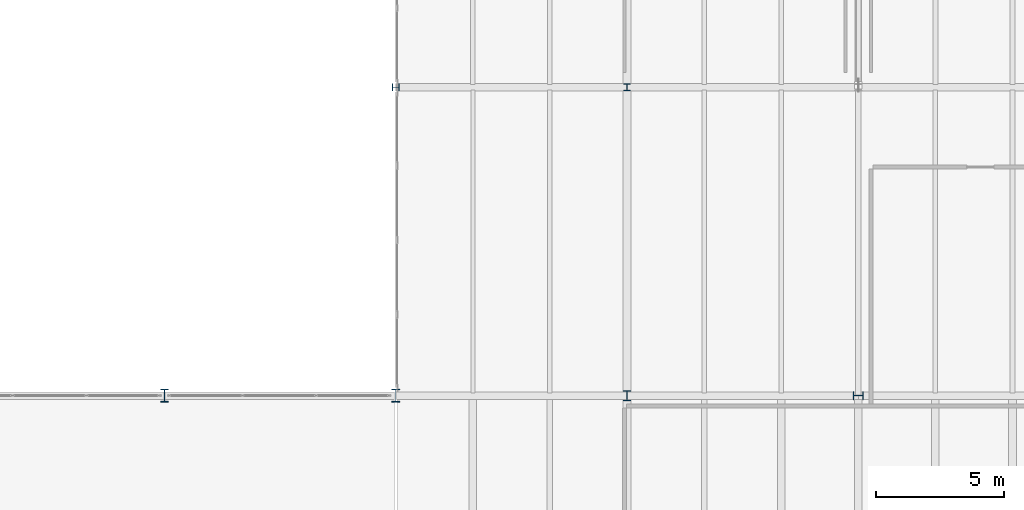
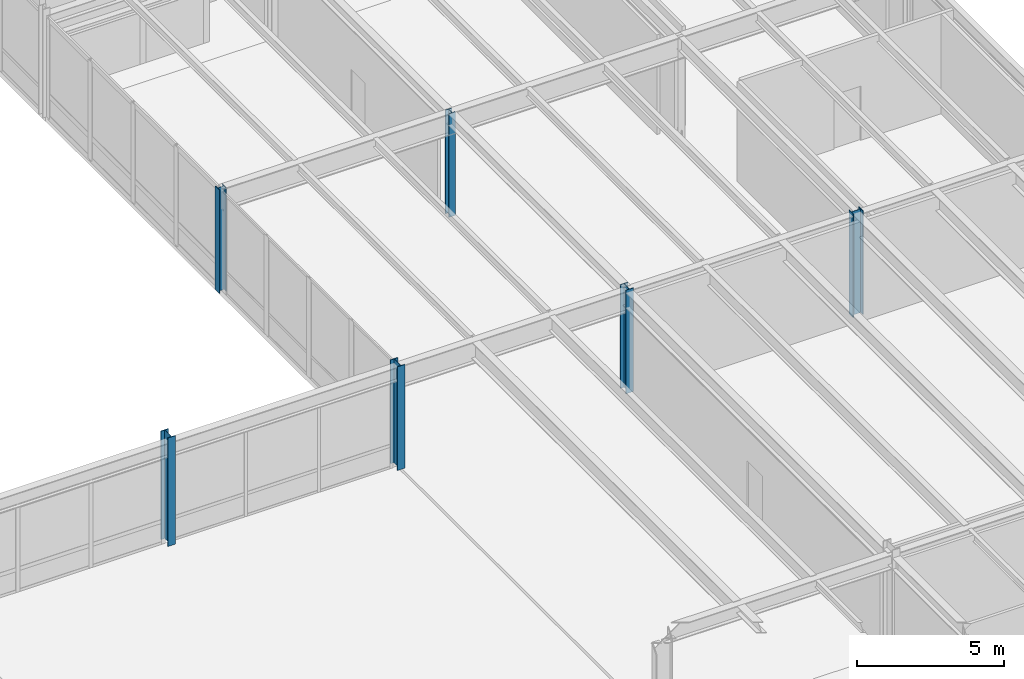
# One storey, part 6 of 115: 6 columns.
"""IFC4 building model written with IfcOpenShell, lengths in metres."""

from ifc_helpers import new_model, si_unit, direction, frame, origin, origin_2d, place, context, subcontext, project, spatial, i_section, extrude, material, material_profile, profile_set, type_object, element, save


model = new_model("IFC4")

# Units and contexts
model_context = context("Model", 3, precision=1e-05, world=origin(), true_north=direction((0.0, 1.0)))
body_context = subcontext(model_context, "Body", "Model", "MODEL_VIEW")
ifc_project = project(units=[si_unit("LENGTHUNIT", "METRE"), si_unit("AREAUNIT", "SQUARE_METRE"), si_unit("VOLUMEUNIT", "CUBIC_METRE"), si_unit("PLANEANGLEUNIT", "RADIAN"), si_unit("MASSUNIT", "GRAM", prefix="KILO")], contexts=[model_context])

# Site, building, storey
site_placement = place(None, origin())
site = spatial("IfcSite", under=ifc_project, at=site_placement, CompositionType="ELEMENT")
building_placement = place(site_placement, origin())
building = spatial("IfcBuilding", under=site, at=building_placement, Name="Montelvaro Courts of Justice", CompositionType="ELEMENT")
storey_placement = place(building_placement, frame((0.0, 0.0, 9.89990234375)))
storey = spatial("IfcBuildingStorey", under=building, at=storey_placement, Name="L02", CompositionType="ELEMENT", Elevation=9.89990234375)

# Columns
ifc_material = material(Name="Steel S355", Category="steel")
ifc_material_profile_1 = material_profile(ifc_material, i_section(OverallWidth=0.260009765625, OverallDepth=0.260009765625, WebThickness=0.010009765625, FlangeThickness=0.017578125, at=origin_2d()), Name="HEB 260")
ifc_profile_set_1 = profile_set([ifc_material_profile_1], Name="Steel S355")
column_type_1 = type_object("IfcColumnType", Name="Col_HEB260", PredefinedType="COLUMN", material=ifc_profile_set_1)
column_1_placement = place(storey_placement, frame((108.0, 54.0, 0.0), z_axis=(0.0, 0.0, 1.0), x_axis=(1.0, 0.0, 0.0)))
element("IfcColumn", 1, at=column_1_placement, inside=storey, type_object=column_type_1, Name="Column C-01 L02 13/E", PredefinedType="COLUMN", context=body_context, shape_type="SweptSolid", body=[
    extrude(i_section(OverallWidth=0.260009765625, OverallDepth=0.260009765625, WebThickness=0.010009765625, FlangeThickness=0.017578125, at=origin_2d()), origin(), (0.0, 0.0, 1.0), 4.300048828125),
])
ifc_material_profile_2 = material_profile(ifc_material, i_section(OverallWidth=0.280029296875, OverallDepth=0.280029296875, WebThickness=0.010498046875, FlangeThickness=0.01806640625, at=origin_2d()), Name="HEB 280")
ifc_profile_set_2 = profile_set([ifc_material_profile_2], Name="Steel S355")
column_type_2 = type_object("IfcColumnType", Name="Col_HEB280", PredefinedType="COLUMN", material=ifc_profile_set_2)
column_2_placement = place(storey_placement, frame((99.0, 54.0, 0.0), z_axis=(0.0, 0.0, 1.0), x_axis=(0.0, 1.0, 0.0)))
element("IfcColumn", 2, at=column_2_placement, inside=storey, type_object=column_type_2, Name="Column C-02 L02 12/E", PredefinedType="COLUMN", context=body_context, shape_type="SweptSolid", body=[
    extrude(i_section(OverallWidth=0.280029296875, OverallDepth=0.280029296875, WebThickness=0.010498046875, FlangeThickness=0.01806640625, at=origin_2d()), origin(), (0.0, 0.0, 1.0), 4.300048828125),
])
ifc_material_profile_3 = material_profile(ifc_material, i_section(OverallWidth=0.300048828125, OverallDepth=0.39990234375, WebThickness=0.013427734375, FlangeThickness=0.02392578125, at=origin_2d()), Name="HEB 400")
ifc_profile_set_3 = profile_set([ifc_material_profile_3], Name="Steel S355")
column_type_3 = type_object("IfcColumnType", Name="Col_HEB400", PredefinedType="COLUMN", material=ifc_profile_set_3)
for number, where, z_axis, x_axis, name in (
    (3, (108.0, 42.0, 0.0), (0.0, 0.0, 1.0), (1.0, 0.0, 0.0), "Column C-07 L02 13/D"),
    (4, (117.0, 42.0, 0.0), (0.0, 0.0, 1.0), (0.0, 1.0, 0.0), "Column C-07 L02 14/D"),
):
    element("IfcColumn", number, at=place(storey_placement, frame(where, z_axis=z_axis, x_axis=x_axis)), inside=storey, type_object=column_type_3, Name=name, PredefinedType="COLUMN", context=body_context, shape_type="SweptSolid", body=[
        extrude(i_section(OverallWidth=0.300048828125, OverallDepth=0.39990234375, WebThickness=0.013427734375, FlangeThickness=0.02392578125, at=origin_2d()), origin(), (0.0, 0.0, 1.0), 4.300048828125),
    ])
ifc_material_profile_4 = material_profile(ifc_material, i_section(OverallWidth=0.300048828125, OverallDepth=0.5, WebThickness=0.014404296875, FlangeThickness=0.028076171875, at=origin_2d()), Name="HEB 500")
ifc_profile_set_4 = profile_set([ifc_material_profile_4], Name="Steel S355")
column_type_4 = type_object("IfcColumnType", Name="Col_HEB500", PredefinedType="COLUMN", material=ifc_profile_set_4)
column_3_placement = place(storey_placement, frame((90.0, 42.0, 0.0), z_axis=(0.0, 0.0, 1.0), x_axis=(1.0, 0.0, 0.0)))
element("IfcColumn", 5, at=column_3_placement, inside=storey, type_object=column_type_4, Name="Column C-09 L02 11/D", PredefinedType="COLUMN", context=body_context, shape_type="SweptSolid", body=[
    extrude(i_section(OverallWidth=0.300048828125, OverallDepth=0.5, WebThickness=0.014404296875, FlangeThickness=0.028076171875, at=origin_2d()), origin(), (0.0, 0.0, 1.0), 4.5),
])
column_4_placement = place(storey_placement, frame((99.0, 42.0, 0.0), z_axis=(0.0, 0.0, 1.0), x_axis=(1.0, 0.0, 0.0)))
element("IfcColumn", 6, at=column_4_placement, inside=storey, type_object=column_type_4, Name="Column C-09 L02 12/D", PredefinedType="COLUMN", context=body_context, shape_type="SweptSolid", body=[
    extrude(i_section(OverallWidth=0.300048828125, OverallDepth=0.5, WebThickness=0.014404296875, FlangeThickness=0.028076171875, at=origin_2d()), origin(), (0.0, 0.0, 1.0), 4.300048828125),
])

save(model, "model.ifc")
